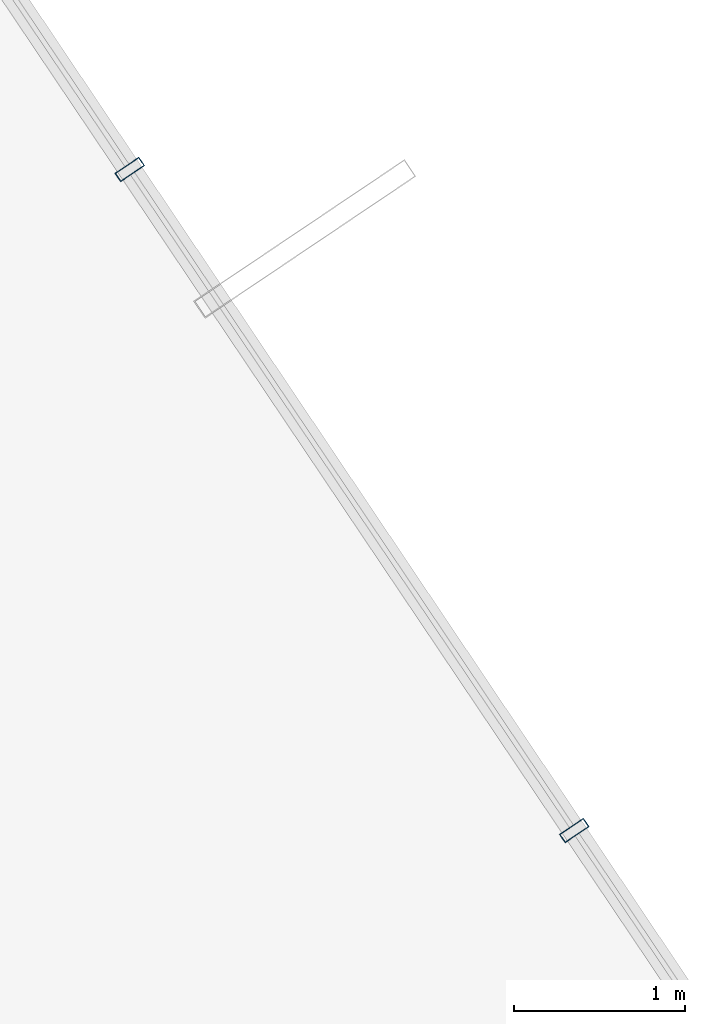
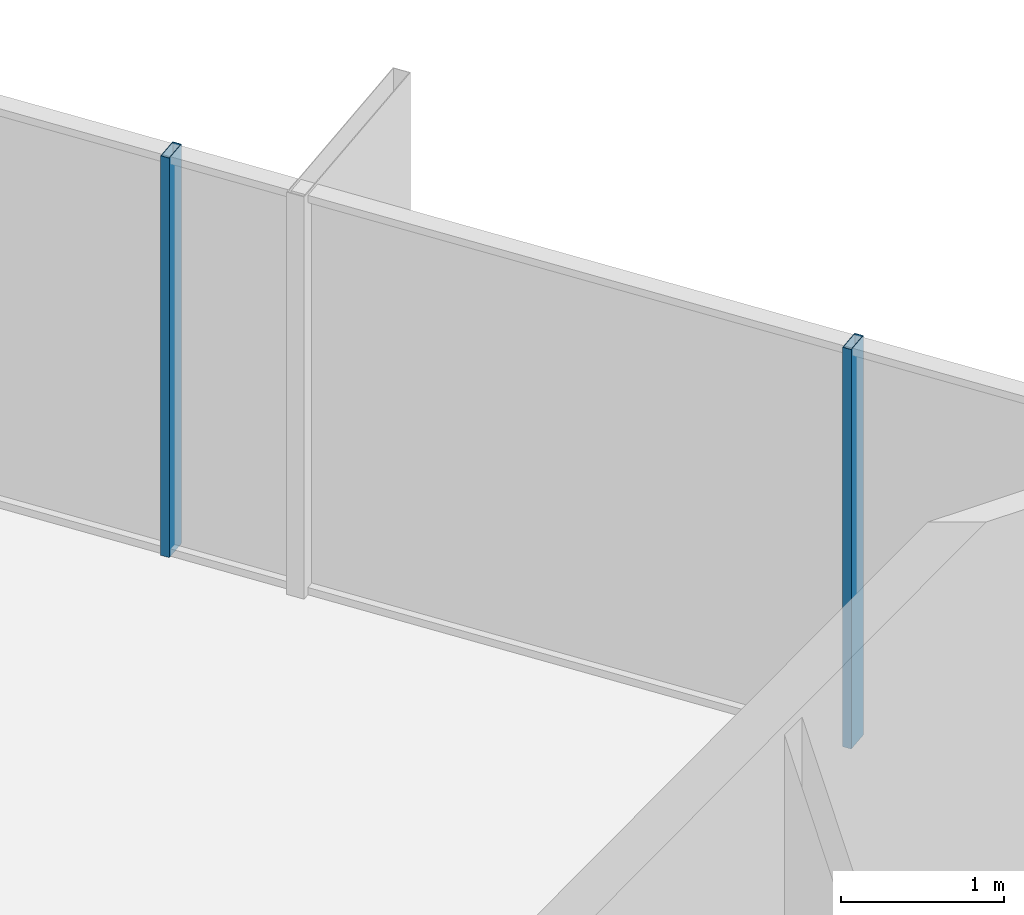
# One storey, part 29 of 37: 2 members, 1 element without a shape of its own.
"""IFC4 building model written with IfcOpenShell, lengths in metres."""

import ifcopenshell
import ifcopenshell.guid

model = None  # the IFC model being written
_history = None  # IfcOwnerHistory: only IFC2X3 demands one
_inside = {}  # id of a spatial element -> (the spatial element, [elements in it])
_under = {}  # id of a project, library or spatial element -> (it, [spatial elements below it])
_declared = {}  # id of a project -> (the project, [libraries it declares])
_typed = {}  # id of a type object -> (the type object, [elements of that type])
_made_of = {}  # id of a material, layer set ... -> (it, [elements and type objects made of it])


def new_model(schema):
    """Start an empty IFC model of exactly this schema.

    Asked for "IFC4X3", IfcOpenShell would pick the latest addendum, in which some entities
    have other attributes; the version numbers below select the first issue.
    IFC2X3 requires an IfcOwnerHistory on every rooted entity: one is made here for all.
    """
    global model, _history
    if schema == "IFC4X3":
        model = ifcopenshell.file(schema_version=(4, 3, 0, 0))
    else:
        model = ifcopenshell.file(schema=schema)
    _inside.clear()
    _under.clear()
    _declared.clear()
    _typed.clear()
    _made_of.clear()
    _history = None
    if model.schema == "IFC2X3":
        org = make("IfcOrganization", Name="unknown")
        user = make(
            "IfcPersonAndOrganization",
            ThePerson=make("IfcPerson", FamilyName="unknown"),
            TheOrganization=org,
        )
        app = make(
            "IfcApplication",
            ApplicationDeveloper=org,
            Version="unknown",
            ApplicationFullName="unknown",
            ApplicationIdentifier="unknown",
        )
        _history = make(
            "IfcOwnerHistory",
            OwningUser=user,
            OwningApplication=app,
            ChangeAction="ADDED",
            CreationDate=0,
        )
    return model


def make(cls, **values):
    """One entity of the class cls with the attributes given. An attribute that is None is left unset."""
    return model.create_entity(
        cls, **{name: value for name, value in values.items() if value is not None}
    )


def rooted(cls, **values):
    """An entity with a GlobalId (a new one), such as an element, a storey or a relation."""
    return make(cls, GlobalId=ifcopenshell.guid.new(), OwnerHistory=_history, **values)


def si_unit(unit_type, name, prefix=None):
    """IfcSIUnit, for example si_unit("LENGTHUNIT", "METRE", prefix="MILLI")."""
    return make("IfcSIUnit", UnitType=unit_type, Prefix=prefix, Name=name)


def assignment(units):
    """IfcUnitAssignment: the units of a project."""
    return None if units is None else make("IfcUnitAssignment", Units=units)


def point(xyz):
    """IfcCartesianPoint."""
    return None if xyz is None else make("IfcCartesianPoint", Coordinates=xyz)


def direction(xyz):
    """IfcDirection."""
    return None if xyz is None else make("IfcDirection", DirectionRatios=xyz)


def frame(location, z_axis=None, x_axis=None):
    """IfcAxis2Placement3D, a coordinate frame: its origin and axes. An axis left out is left unset."""
    return make(
        "IfcAxis2Placement3D",
        Location=point(location),
        Axis=direction(z_axis),
        RefDirection=direction(x_axis),
    )


def frame_2d(location, x_axis=None):
    """IfcAxis2Placement2D, a coordinate frame in the plane: its origin and x axis."""
    return make(
        "IfcAxis2Placement2D", Location=point(location), RefDirection=direction(x_axis)
    )


def origin():
    """The frame at (0, 0, 0) with its axes left unset."""
    return frame((0.0, 0.0, 0.0))


def origin_2d():
    """The frame at (0, 0) in the plane with its x axis left unset."""
    return frame_2d((0.0, 0.0))


def place(relative_to, where):
    """IfcLocalPlacement: puts the frame where relative to a parent placement (None: the world)."""
    return make(
        "IfcLocalPlacement", PlacementRelTo=relative_to, RelativePlacement=where
    )


def context(
    kind, dimensions, precision=None, world=None, true_north=None, identifier=None
):
    """IfcGeometricRepresentationContext, for example the 3D "Model" context."""
    return make(
        "IfcGeometricRepresentationContext",
        ContextIdentifier=identifier,
        ContextType=kind,
        CoordinateSpaceDimension=dimensions,
        Precision=precision,
        WorldCoordinateSystem=world,
        TrueNorth=true_north,
    )


def subcontext(parent, identifier, kind, view, scale=None):
    """IfcGeometricRepresentationSubContext, for example "Body" below "Model"."""
    return make(
        "IfcGeometricRepresentationSubContext",
        ContextIdentifier=identifier,
        ContextType=kind,
        ParentContext=parent,
        TargetScale=scale,
        TargetView=view,
    )


def project(units=None, contexts=None):
    """IfcProject with its units and contexts."""
    return rooted(
        "IfcProject",
        Name="project",
        RepresentationContexts=contexts,
        UnitsInContext=assignment(units),
    )


def spatial(cls, under=None, at=None, **own):
    """A site, building, storey or space (cls), placed at a placement, below another one or the project."""
    s = rooted(cls, ObjectPlacement=at, **own)
    if under is not None:
        _under.setdefault(under.id(), (under, []))[1].append(s)
    return s


def profile(cls, at=None, kind="AREA", **sizes):
    """A parametric profile (cls). Its sizes go by their IFC names, for example OverallWidth=200.0."""
    return make(cls, ProfileType=kind, Position=at, **sizes)


def hollow_rectangle(**sizes):
    """IfcRectangleHollowProfileDef."""
    return profile("IfcRectangleHollowProfileDef", **sizes)


def extrude(swept, where, along, depth):
    """IfcExtrudedAreaSolid: the profile swept, set in the frame where, extruded along a direction by depth."""
    return make(
        "IfcExtrudedAreaSolid",
        SweptArea=swept,
        Position=where,
        ExtrudedDirection=direction(along),
        Depth=depth,
    )


def shape(context_of_items, identifier, shape_type, items):
    """IfcShapeRepresentation: the items that make up one representation, for example the "Body"."""
    return make(
        "IfcShapeRepresentation",
        ContextOfItems=context_of_items,
        RepresentationIdentifier=identifier,
        RepresentationType=shape_type,
        Items=items,
    )


def source(mapping_origin, context_of_items, identifier, shape_type, items):
    """IfcRepresentationMap: a shape defined once, which mapped items show again and again."""
    return make(
        "IfcRepresentationMap",
        MappingOrigin=mapping_origin,
        MappedRepresentation=shape(context_of_items, identifier, shape_type, items),
    )


def transform(
    local_origin,
    x_axis=None,
    y_axis=None,
    z_axis=None,
    scale=None,
    scale2=None,
    scale3=None,
    uniform=True,
):
    """IfcCartesianTransformationOperator3D, or its non-uniform kind. x_axis, y_axis, z_axis: its Axis1, 2, 3."""
    if uniform:
        return make(
            "IfcCartesianTransformationOperator3D",
            Axis1=direction(x_axis),
            Axis2=direction(y_axis),
            LocalOrigin=point(local_origin),
            Scale=scale,
            Axis3=direction(z_axis),
        )
    return make(
        "IfcCartesianTransformationOperator3DnonUniform",
        Axis1=direction(x_axis),
        Axis2=direction(y_axis),
        LocalOrigin=point(local_origin),
        Scale=scale,
        Axis3=direction(z_axis),
        Scale2=scale2,
        Scale3=scale3,
    )


def mapped(mapping_source, mapping_target):
    """IfcMappedItem: shows the shape of a source again, moved by a transform."""
    return make(
        "IfcMappedItem", MappingSource=mapping_source, MappingTarget=mapping_target
    )


def material(Name=None, Category=None):
    """IfcMaterial."""
    return make("IfcMaterial", Name=Name, Category=Category)


def layer(
    of_material, thickness, ventilated=None, Name=None, Category=None, Priority=None
):
    """IfcMaterialLayer: one layer of a wall or slab, of a material (None: an air gap)."""
    return make(
        "IfcMaterialLayer",
        Material=of_material,
        LayerThickness=thickness,
        IsVentilated=ventilated,
        Name=Name,
        Category=Category,
        Priority=Priority,
    )


def layer_set(layers, Name=None):
    """IfcMaterialLayerSet."""
    return make("IfcMaterialLayerSet", MaterialLayers=layers, LayerSetName=Name)


def material_profile(
    of_material, cross_section, Name=None, Category=None, Priority=None
):
    """IfcMaterialProfile: a cross section and its material."""
    return make(
        "IfcMaterialProfile",
        Name=Name,
        Material=of_material,
        Profile=cross_section,
        Priority=Priority,
        Category=Category,
    )


def profile_set(profiles, Name=None, composite=None):
    """IfcMaterialProfileSet."""
    return make(
        "IfcMaterialProfileSet",
        Name=Name,
        MaterialProfiles=profiles,
        CompositeProfile=composite,
    )


def made_of(thing, what):
    """Note that an element or type object is made of a material, layer set ...; save() writes the relation."""
    if what is not None:
        _made_of.setdefault(what.id(), (what, []))[1].append(thing)
    return thing


def type_object(cls, material=None, **own):
    """A type object (cls), such as IfcWallType, which elements share."""
    return made_of(rooted(cls, **own), material)


def element(
    cls,
    number,
    at=None,
    inside=None,
    cuts=None,
    type_object=None,
    material=None,
    context=None,
    identifier="Body",
    shape_type=None,
    held_by="IfcProductDefinitionShape",
    body=None,
    shapes=None,
    **own,
):
    """One element of the class cls, such as IfcWall. Its Tag is "e" and its number.

    at: its placement. inside: the storey or other place that contains it. cuts: it is an
    opening in that element (IfcRelVoidsElement). A single representation is given by context,
    identifier, shape_type and body (its items); several are given by shapes. held_by: the class
    of the entity that holds the representations. save() writes the other relations.
    """
    e = rooted(cls, Tag="e%d" % number, ObjectPlacement=at, **own)
    if body is not None:
        shapes = [shape(context, identifier, shape_type, body)]
    if shapes is not None:
        e.Representation = make(held_by, Representations=shapes)
    if inside is not None:
        _inside.setdefault(inside.id(), (inside, []))[1].append(e)
    if cuts is not None:
        rooted(
            "IfcRelVoidsElement", RelatingBuildingElement=cuts, RelatedOpeningElement=e
        )
    if type_object is not None:
        _typed.setdefault(type_object.id(), (type_object, []))[1].append(e)
    return made_of(e, material)


def aggregate(whole, parts):
    """IfcRelAggregates: a whole, such as a stair, and the parts it consists of."""
    return rooted("IfcRelAggregates", RelatingObject=whole, RelatedObjects=parts)


def save(model, path):
    """Write the relations noted so far, then the file.

    IfcRelAggregates (storeys below a building ...), IfcRelContainedInSpatialStructure (elements
    in a storey), IfcRelDefinesByType, IfcRelAssociatesMaterial and IfcRelDeclares: one each for
    every whole, place, type object, material and project.
    """
    for whole, parts in _under.values():
        aggregate(whole, parts)
    for where, things in _inside.values():
        rooted(
            "IfcRelContainedInSpatialStructure",
            RelatedElements=things,
            RelatingStructure=where,
        )
    for kind, things in _typed.values():
        rooted("IfcRelDefinesByType", RelatedObjects=things, RelatingType=kind)
    for what, things in _made_of.values():
        rooted("IfcRelAssociatesMaterial", RelatedObjects=things, RelatingMaterial=what)
    for by, libraries in _declared.values():
        rooted("IfcRelDeclares", RelatingContext=by, RelatedDefinitions=libraries)
    model.write(path)


model = new_model("IFC4")

# Units and contexts
model_context = context("Model", 3, precision=1e-05, world=origin(), true_north=direction((0.0, 1.0)))
body_context = subcontext(model_context, "Body", "Model", "MODEL_VIEW")
ifc_project = project(units=[si_unit("LENGTHUNIT", "METRE"), si_unit("AREAUNIT", "SQUARE_METRE"), si_unit("VOLUMEUNIT", "CUBIC_METRE"), si_unit("PLANEANGLEUNIT", "RADIAN"), si_unit("MASSUNIT", "GRAM", prefix="KILO")], contexts=[model_context])

# Site, building, storey
site_placement = place(None, origin())
site = spatial("IfcSite", under=ifc_project, at=site_placement, CompositionType="ELEMENT")
building_placement = place(site_placement, origin())
building = spatial("IfcBuilding", under=site, at=building_placement, Name="Veraguas Prism Commons", CompositionType="ELEMENT")
storey_placement = place(building_placement, frame((0.0, 0.0, 37.050048828125)))
storey = spatial("IfcBuildingStorey", under=building, at=storey_placement, Name="L09", CompositionType="ELEMENT", Elevation=37.050048828125)

# Curtain wall, members
ifc_material = material(Name="Anodised aluminium EN AW-6063 T6", Category="aluminium")
ifc_layer = layer(ifc_material, 0.169921875, Name="Unitised Flush Curtain Wall Zone 1", Category="aluminium")
ifc_layer_set = layer_set([ifc_layer], Name="Anodised aluminium EN AW-6063 T6")
curtain_wall_type = type_object("IfcCurtainWallType", Name="Unitised Flush Curtain Wall Zone 1", PredefinedType="NOTDEFINED", material=ifc_layer_set)
curtain_wall_placement = place(storey_placement, origin())
curtain_wall = element("IfcCurtainWall", 1, at=curtain_wall_placement, inside=storey, type_object=curtain_wall_type, Name="Tower Facade Curtain Wall L09-F1", PredefinedType="NOTDEFINED")
ifc_material_profile = material_profile(ifc_material, hollow_rectangle(XDim=0.06005859375, YDim=0.169921875, WallThickness=0.00390625, at=origin_2d()), Name="AL60X170X4")
ifc_profile_set = profile_set([ifc_material_profile], Name="Anodised aluminium EN AW-6063 T6")
member_type = type_object("IfcMemberType", Name="Curtain Wall Mullion Lower AL 60x170x4", PredefinedType="MULLION", material=ifc_profile_set)
shared_shape = source(origin(), body_context, "Body", "SweptSolid", [
    extrude(hollow_rectangle(XDim=0.06005859375, YDim=0.169921875, WallThickness=0.00390625, at=origin_2d()), origin(), (0.0, 0.0, 1.0), 3.0),
])
member_1_placement = place(storey_placement, frame((41.247314453125, 35.5986328125, 0.0), z_axis=(0.0, 0.0, 1.0), x_axis=(-0.558034803938, 0.829817544761, 0.0)))
member_1 = element("IfcMember", 2, at=member_1_placement, type_object=member_type, Name="CW-Z1 Mullion 3", PredefinedType="MULLION", context=body_context, shape_type="MappedRepresentation", body=[
    mapped(shared_shape, transform((0.0, 0.0, 0.0), scale=1.0)),
])
member_2_placement = place(storey_placement, frame((38.640869140625, 39.474609375, 0.0), z_axis=(0.0, 0.0, 1.0), x_axis=(-0.558034803938, 0.829817544761, 0.0)))
member_2 = element("IfcMember", 3, at=member_2_placement, type_object=member_type, Name="CW-Z1 Mullion 4", PredefinedType="MULLION", context=body_context, shape_type="MappedRepresentation", body=[
    mapped(shared_shape, transform((0.0, 0.0, 0.0), scale=1.0)),
])
aggregate(curtain_wall, [member_1, member_2])

save(model, "model.ifc")
